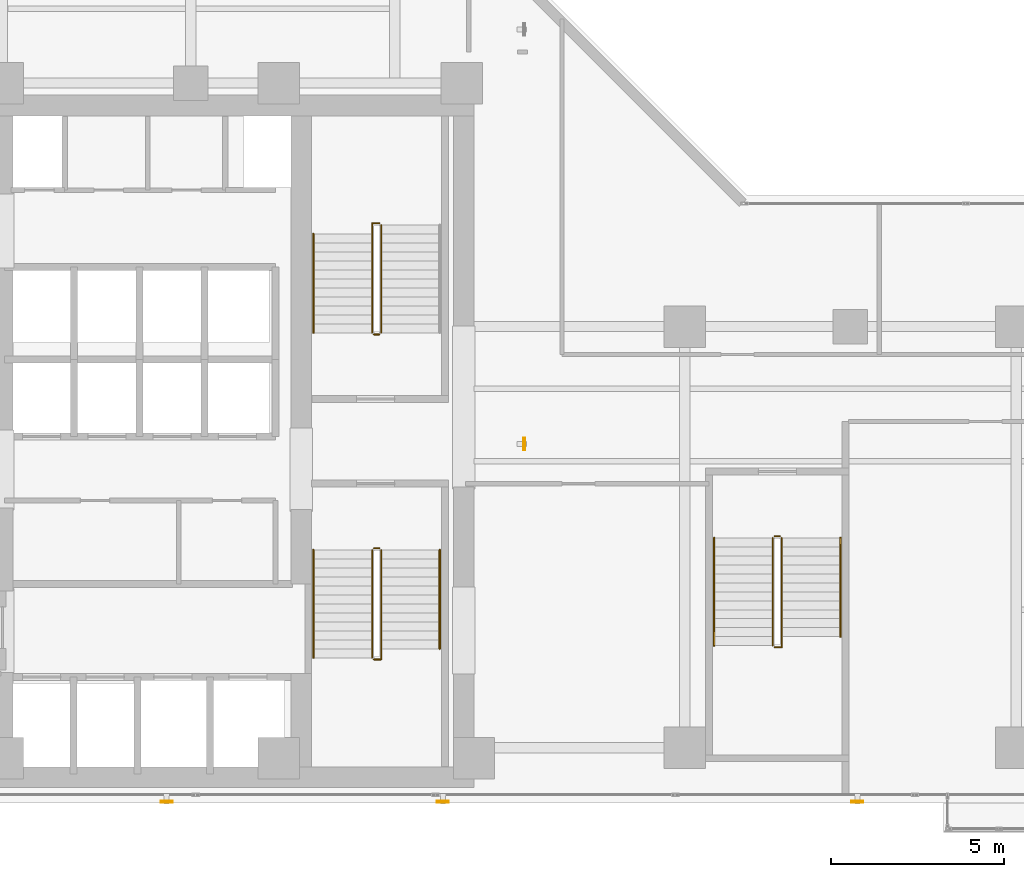
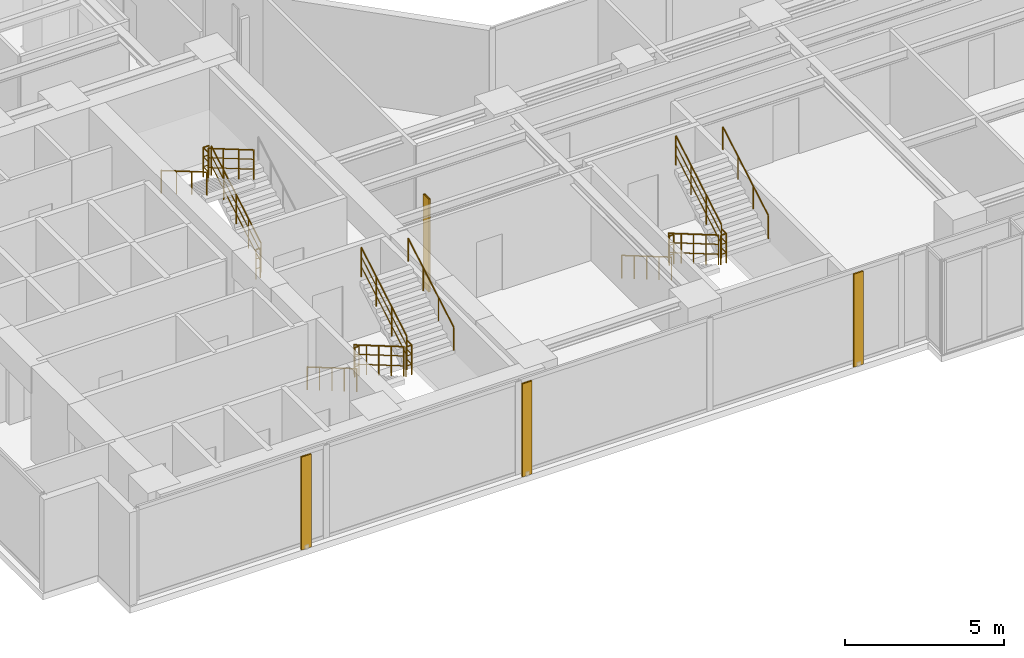
# One storey, part 24 of 27: 17 railings, 4 shading devices.
"""IFC4 building model written with IfcOpenShell, lengths in metres."""

from ifc_helpers import new_model, si_unit, direction, frame, origin, origin_2d, place, context, subcontext, project, spatial, hollow_rectangle, circle, extrude, material, material_profile, profile_set, type_object, element, save


model = new_model("IFC4")

# Units and contexts
model_context = context("Model", 3, precision=1e-05, world=origin(), true_north=direction((0.0, 1.0)))
body_context = subcontext(model_context, "Body", "Model", "MODEL_VIEW")
ifc_project = project(units=[si_unit("LENGTHUNIT", "METRE"), si_unit("AREAUNIT", "SQUARE_METRE"), si_unit("VOLUMEUNIT", "CUBIC_METRE"), si_unit("PLANEANGLEUNIT", "RADIAN"), si_unit("MASSUNIT", "GRAM", prefix="KILO")], contexts=[model_context])

# Site, building, storey
site_placement = place(None, origin())
site = spatial("IfcSite", under=ifc_project, at=site_placement, CompositionType="ELEMENT")
building_placement = place(site_placement, origin())
building = spatial("IfcBuilding", under=site, at=building_placement, Name="Kolvaren Waterfront Exchange", CompositionType="ELEMENT")
storey_placement = place(building_placement, frame((0.0, 0.0, 191.800048828125)))
storey = spatial("IfcBuildingStorey", under=building, at=storey_placement, Name="L49", CompositionType="ELEMENT", Elevation=191.800048828125)

# Shading devices
ifc_material_1 = material(Name="Anodised bronze aluminium 6063-T6", Category="aluminium")
ifc_material_profile = material_profile(ifc_material_1, hollow_rectangle(XDim=0.06005859375, YDim=0.35009765625, WallThickness=0.0048828125, at=origin_2d()), Name="BRZ-FIN-350x60x5")
ifc_profile_set = profile_set([ifc_material_profile], Name="Anodised bronze aluminium 6063-T6")
shading_device_type = type_object("IfcShadingDeviceType", Name="ARC-FIN-350", PredefinedType="USERDEFINED", material=ifc_profile_set)
for number, where, z_axis, x_axis, name in (
    (1, (12.199951171875, 3.639892578125, 0.0), (0.0, 0.0, 1.0), (0.0, -1.0, 0.0), "L49 anodised bronze solar shading fin FIN-L49-S1"),
    (2, (20.199951171875, 3.639892578125, 0.0), (0.0, 0.0, 1.0), (0.0, -1.0, 0.0), "L49 anodised bronze solar shading fin FIN-L49-S2"),
    (3, (32.199951171875, 3.639892578125, 0.0), (0.0, 0.0, 1.0), (0.0, -1.0, 0.0), "L49 anodised bronze solar shading fin FIN-L49-S3"),
    (4, (22.56005859375, 14.0, 0.0), (0.0, 0.0, 1.0), (1.0, 0.0, 0.0), "L49 anodised bronze solar shading fin FIN-L49-E1"),
):
    element("IfcShadingDevice", number, at=place(storey_placement, frame(where, z_axis=z_axis, x_axis=x_axis)), inside=storey, type_object=shading_device_type, Name=name, ObjectType="SOLAR FIN", PredefinedType="USERDEFINED", context=body_context, shape_type="SweptSolid", body=[
        extrude(hollow_rectangle(XDim=0.06005859375, YDim=0.35009765625, WallThickness=0.0048828125, at=origin_2d()), origin(), (0.0, 0.0, 1.0), 3.56005859375),
    ])

# Railings
ifc_material_2 = material(Name="Stainless steel 316", Category="steel")
railing_type_1 = type_object("IfcRailingType", Name="ARC-GUARD-STAIR", PredefinedType="GUARDRAIL", material=ifc_material_2)
railing_1_placement = place(storey_placement, frame((18.14990234375, 10.929931640625, 0.15185546875)))
element("IfcRailing", 5, at=railing_1_placement, inside=storey, type_object=railing_type_1, Name="L49 ST1 stair guard 1", PredefinedType="GUARDRAIL", context=body_context, shape_type="SweptSolid", body=[
    extrude(circle(Radius=0.02392578125, at=origin_2d()), frame((0.0, 0.0, 1.1259765625), z_axis=(0.0, -0.86329090724, 0.504706656858), x_axis=(1.0, 0.0, 0.0)), (0.0, 0.0, 1.0), 3.614013671875),
    extrude(circle(Radius=0.01611328125, at=origin_2d()), frame((0.0, 0.0, 0.390869140625), z_axis=(0.0, -0.86329090724, 0.504706656858), x_axis=(1.0, 0.0, 0.0)), (0.0, 0.0, 1.0), 3.614013671875),
    extrude(circle(Radius=0.01611328125, at=origin_2d()), frame((0.0, 0.0, 0.7705078125), z_axis=(0.0, -0.86329090724, 0.504706656858), x_axis=(1.0, 0.0, 0.0)), (0.0, 0.0, 1.0), 3.614013671875),
    extrude(circle(Radius=0.02099609375, at=origin_2d()), origin(), (0.0, 0.0, 1.0), 1.101806640625),
    extrude(circle(Radius=0.02099609375, at=origin_2d()), frame((0.0, -0.780029296875, 0.4560546875)), (0.0, 0.0, 1.0), 1.101806640625),
    extrude(circle(Radius=0.02099609375, at=origin_2d()), frame((0.0, -1.56005859375, 0.912109375)), (0.0, 0.0, 1.0), 1.101806640625),
    extrude(circle(Radius=0.02099609375, at=origin_2d()), frame((0.0, -2.33984375, 1.367919921875)), (0.0, 0.0, 1.0), 1.101806640625),
    extrude(circle(Radius=0.02099609375, at=origin_2d()), frame((0.0, -3.119873046875, 1.823974609375)), (0.0, 0.0, 1.0), 1.101806640625),
])
railing_2_placement = place(storey_placement, frame((18.199951171875, 7.760009765625, 1.975830078125)))
element("IfcRailing", 6, at=railing_2_placement, inside=storey, type_object=railing_type_1, Name="L49 ST1 stair guard 2", PredefinedType="GUARDRAIL", context=body_context, shape_type="SweptSolid", body=[
    extrude(circle(Radius=0.02392578125, at=origin_2d()), frame((0.0, 0.0, 1.1259765625), z_axis=(1.0, 0.0, 0.0), x_axis=(0.0, 1.0, 0.0)), (0.0, 0.0, 1.0), 0.2099609375),
    extrude(circle(Radius=0.01611328125, at=origin_2d()), frame((0.0, 0.0, 0.390869140625), z_axis=(1.0, 0.0, 0.0), x_axis=(0.0, 1.0, 0.0)), (0.0, 0.0, 1.0), 0.2099609375),
    extrude(circle(Radius=0.01611328125, at=origin_2d()), frame((0.0, 0.0, 0.7705078125), z_axis=(1.0, 0.0, 0.0), x_axis=(0.0, 1.0, 0.0)), (0.0, 0.0, 1.0), 0.2099609375),
    extrude(circle(Radius=0.02392578125, at=origin_2d()), frame((0.2099609375, 0.0, 1.1259765625), z_axis=(0.0, 1.0, 0.0), x_axis=(-1.0, 0.0, 0.0)), (0.0, 0.0, 1.0), 0.31005859375),
    extrude(circle(Radius=0.01611328125, at=origin_2d()), frame((0.2099609375, 0.0, 0.390869140625), z_axis=(0.0, 1.0, 0.0), x_axis=(-1.0, 0.0, 0.0)), (0.0, 0.0, 1.0), 0.31005859375),
    extrude(circle(Radius=0.01611328125, at=origin_2d()), frame((0.2099609375, 0.0, 0.7705078125), z_axis=(0.0, 1.0, 0.0), x_axis=(-1.0, 0.0, 0.0)), (0.0, 0.0, 1.0), 0.31005859375),
    extrude(circle(Radius=0.02099609375, at=origin_2d()), origin(), (0.0, 0.0, 1.0), 1.101806640625),
    extrude(circle(Radius=0.02099609375, at=origin_2d()), frame((0.2099609375, 0.0, 0.0)), (0.0, 0.0, 1.0), 1.101806640625),
    extrude(circle(Radius=0.02099609375, at=origin_2d()), frame((0.2099609375, 0.31005859375, 0.0)), (0.0, 0.0, 1.0), 1.101806640625),
])
railing_3_placement = place(storey_placement, frame((18.409912109375, 8.070068359375, 2.1279296875)))
element("IfcRailing", 7, at=railing_3_placement, inside=storey, type_object=railing_type_1, Name="L49 ST1 stair guard 3", PredefinedType="GUARDRAIL", context=body_context, shape_type="SweptSolid", body=[
    extrude(circle(Radius=0.02392578125, at=origin_2d()), frame((0.0, 0.0, 1.1259765625), z_axis=(0.0, 0.863270611444, 0.50474137082), x_axis=(-1.0, 0.0, 0.0)), (0.0, 0.0, 1.0), 3.312744140625),
    extrude(circle(Radius=0.01611328125, at=origin_2d()), frame((0.0, 0.0, 0.390869140625), z_axis=(0.0, 0.863270611444, 0.50474137082), x_axis=(-1.0, 0.0, 0.0)), (0.0, 0.0, 1.0), 3.312744140625),
    extrude(circle(Radius=0.01611328125, at=origin_2d()), frame((0.0, 0.0, 0.7705078125), z_axis=(0.0, 0.863270611444, 0.50474137082), x_axis=(-1.0, 0.0, 0.0)), (0.0, 0.0, 1.0), 3.312744140625),
    extrude(circle(Radius=0.02099609375, at=origin_2d()), origin(), (0.0, 0.0, 1.0), 1.101806640625),
    extrude(circle(Radius=0.02099609375, at=origin_2d()), frame((0.0, 0.953369140625, 0.557373046875)), (0.0, 0.0, 1.0), 1.101806640625),
    extrude(circle(Radius=0.02099609375, at=origin_2d()), frame((0.0, 1.906494140625, 1.11474609375)), (0.0, 0.0, 1.0), 1.101806640625),
    extrude(circle(Radius=0.02099609375, at=origin_2d()), frame((0.0, 2.85986328125, 1.672119140625)), (0.0, 0.0, 1.0), 1.101806640625),
])
railing_4_placement = place(storey_placement, frame((18.199951171875, 10.97998046875, 0.0)))
element("IfcRailing", 8, at=railing_4_placement, inside=storey, type_object=railing_type_1, Name="L49 ST1 stair guard 4", PredefinedType="GUARDRAIL", context=body_context, shape_type="SweptSolid", body=[
    extrude(circle(Radius=0.02392578125, at=origin_2d()), frame((0.0, 0.0, 1.1259765625), z_axis=(1.0, 0.0, 0.0), x_axis=(0.0, 1.0, 0.0)), (0.0, 0.0, 1.0), 0.16015625),
    extrude(circle(Radius=0.01611328125, at=origin_2d()), frame((0.0, 0.0, 0.390869140625), z_axis=(1.0, 0.0, 0.0), x_axis=(0.0, 1.0, 0.0)), (0.0, 0.0, 1.0), 0.16015625),
    extrude(circle(Radius=0.01611328125, at=origin_2d()), frame((0.0, 0.0, 0.7705078125), z_axis=(1.0, 0.0, 0.0), x_axis=(0.0, 1.0, 0.0)), (0.0, 0.0, 1.0), 0.16015625),
    extrude(circle(Radius=0.02099609375, at=origin_2d()), origin(), (0.0, 0.0, 1.0), 1.101806640625),
    extrude(circle(Radius=0.02099609375, at=origin_2d()), frame((0.16015625, 0.0, 0.0)), (0.0, 0.0, 1.0), 1.101806640625),
])
railing_5_placement = place(storey_placement, frame((18.409912109375, 17.219970703125, 0.15185546875)))
element("IfcRailing", 9, at=railing_5_placement, inside=storey, type_object=railing_type_1, Name="L49 ST2 stair guard 1", PredefinedType="GUARDRAIL", context=body_context, shape_type="SweptSolid", body=[
    extrude(circle(Radius=0.02392578125, at=origin_2d()), frame((0.0, 0.0, 1.1259765625), z_axis=(0.0, 0.86330811405, 0.504677223793), x_axis=(-1.0, 0.0, 0.0)), (0.0, 0.0, 1.0), 3.6142578125),
    extrude(circle(Radius=0.01611328125, at=origin_2d()), frame((0.0, 0.0, 0.390869140625), z_axis=(0.0, 0.86330811405, 0.504677223793), x_axis=(-1.0, 0.0, 0.0)), (0.0, 0.0, 1.0), 3.6142578125),
    extrude(circle(Radius=0.01611328125, at=origin_2d()), frame((0.0, 0.0, 0.7705078125), z_axis=(0.0, 0.86330811405, 0.504677223793), x_axis=(-1.0, 0.0, 0.0)), (0.0, 0.0, 1.0), 3.6142578125),
    extrude(circle(Radius=0.02099609375, at=origin_2d()), origin(), (0.0, 0.0, 1.0), 1.101806640625),
    extrude(circle(Radius=0.02099609375, at=origin_2d()), frame((0.0, 0.780029296875, 0.4560546875)), (0.0, 0.0, 1.0), 1.101806640625),
    extrude(circle(Radius=0.02099609375, at=origin_2d()), frame((0.0, 1.56005859375, 0.912109375)), (0.0, 0.0, 1.0), 1.101806640625),
    extrude(circle(Radius=0.02099609375, at=origin_2d()), frame((0.0, 2.340087890625, 1.367919921875)), (0.0, 0.0, 1.0), 1.101806640625),
    extrude(circle(Radius=0.02099609375, at=origin_2d()), frame((0.0, 3.1201171875, 1.823974609375)), (0.0, 0.0, 1.0), 1.101806640625),
])
railing_6_placement = place(storey_placement, frame((18.360107421875, 20.389892578125, 1.975830078125)))
element("IfcRailing", 10, at=railing_6_placement, inside=storey, type_object=railing_type_1, Name="L49 ST2 stair guard 2", PredefinedType="GUARDRAIL", context=body_context, shape_type="SweptSolid", body=[
    extrude(circle(Radius=0.02392578125, at=origin_2d()), frame((0.0, 0.0, 1.1259765625), z_axis=(-1.0, 0.0, 0.0), x_axis=(0.0, -1.0, 0.0)), (0.0, 0.0, 1.0), 0.210205078125),
    extrude(circle(Radius=0.01611328125, at=origin_2d()), frame((0.0, 0.0, 0.390869140625), z_axis=(-1.0, 0.0, 0.0), x_axis=(0.0, -1.0, 0.0)), (0.0, 0.0, 1.0), 0.210205078125),
    extrude(circle(Radius=0.01611328125, at=origin_2d()), frame((0.0, 0.0, 0.7705078125), z_axis=(-1.0, 0.0, 0.0), x_axis=(0.0, -1.0, 0.0)), (0.0, 0.0, 1.0), 0.210205078125),
    extrude(circle(Radius=0.02392578125, at=origin_2d()), frame((-0.210205078125, 0.0, 1.1259765625), z_axis=(0.0, -1.0, 0.0), x_axis=(1.0, 0.0, 0.0)), (0.0, 0.0, 1.0), 0.309814453125),
    extrude(circle(Radius=0.01611328125, at=origin_2d()), frame((-0.210205078125, 0.0, 0.390869140625), z_axis=(0.0, -1.0, 0.0), x_axis=(1.0, 0.0, 0.0)), (0.0, 0.0, 1.0), 0.309814453125),
    extrude(circle(Radius=0.01611328125, at=origin_2d()), frame((-0.210205078125, 0.0, 0.7705078125), z_axis=(0.0, -1.0, 0.0), x_axis=(1.0, 0.0, 0.0)), (0.0, 0.0, 1.0), 0.309814453125),
    extrude(circle(Radius=0.02099609375, at=origin_2d()), origin(), (0.0, 0.0, 1.0), 1.101806640625),
    extrude(circle(Radius=0.02099609375, at=origin_2d()), frame((-0.210205078125, 0.0, 0.0)), (0.0, 0.0, 1.0), 1.101806640625),
    extrude(circle(Radius=0.02099609375, at=origin_2d()), frame((-0.210205078125, -0.309814453125, 0.0)), (0.0, 0.0, 1.0), 1.101806640625),
])
railing_7_placement = place(storey_placement, frame((18.14990234375, 20.080078125, 2.1279296875)))
element("IfcRailing", 11, at=railing_7_placement, inside=storey, type_object=railing_type_1, Name="L49 ST2 stair guard 3", PredefinedType="GUARDRAIL", context=body_context, shape_type="SweptSolid", body=[
    extrude(circle(Radius=0.02392578125, at=origin_2d()), frame((0.0, 0.0, 1.1259765625), z_axis=(0.0, -0.863289384635, 0.504709261235), x_axis=(1.0, 0.0, 0.0)), (0.0, 0.0, 1.0), 3.31298828125),
    extrude(circle(Radius=0.01611328125, at=origin_2d()), frame((0.0, 0.0, 0.390869140625), z_axis=(0.0, -0.863289384635, 0.504709261235), x_axis=(1.0, 0.0, 0.0)), (0.0, 0.0, 1.0), 3.31298828125),
    extrude(circle(Radius=0.01611328125, at=origin_2d()), frame((0.0, 0.0, 0.7705078125), z_axis=(0.0, -0.863289384635, 0.504709261235), x_axis=(1.0, 0.0, 0.0)), (0.0, 0.0, 1.0), 3.31298828125),
    extrude(circle(Radius=0.02099609375, at=origin_2d()), origin(), (0.0, 0.0, 1.0), 1.101806640625),
    extrude(circle(Radius=0.02099609375, at=origin_2d()), frame((0.0, -0.953369140625, 0.557373046875)), (0.0, 0.0, 1.0), 1.101806640625),
    extrude(circle(Radius=0.02099609375, at=origin_2d()), frame((0.0, -1.90673828125, 1.11474609375)), (0.0, 0.0, 1.0), 1.101806640625),
    extrude(circle(Radius=0.02099609375, at=origin_2d()), frame((0.0, -2.860107421875, 1.672119140625)), (0.0, 0.0, 1.0), 1.101806640625),
])
railing_8_placement = place(storey_placement, frame((18.360107421875, 17.169921875, 0.0)))
element("IfcRailing", 12, at=railing_8_placement, inside=storey, type_object=railing_type_1, Name="L49 ST2 stair guard 4", PredefinedType="GUARDRAIL", context=body_context, shape_type="SweptSolid", body=[
    extrude(circle(Radius=0.02392578125, at=origin_2d()), frame((0.0, 0.0, 1.1259765625), z_axis=(-1.0, 0.0, 0.0), x_axis=(0.0, -1.0, 0.0)), (0.0, 0.0, 1.0), 0.16015625),
    extrude(circle(Radius=0.01611328125, at=origin_2d()), frame((0.0, 0.0, 0.390869140625), z_axis=(-1.0, 0.0, 0.0), x_axis=(0.0, -1.0, 0.0)), (0.0, 0.0, 1.0), 0.16015625),
    extrude(circle(Radius=0.01611328125, at=origin_2d()), frame((0.0, 0.0, 0.7705078125), z_axis=(-1.0, 0.0, 0.0), x_axis=(0.0, -1.0, 0.0)), (0.0, 0.0, 1.0), 0.16015625),
    extrude(circle(Radius=0.02099609375, at=origin_2d()), origin(), (0.0, 0.0, 1.0), 1.101806640625),
    extrude(circle(Radius=0.02099609375, at=origin_2d()), frame((-0.16015625, 0.0, 0.0)), (0.0, 0.0, 1.0), 1.101806640625),
])
railing_9_placement = place(storey_placement, frame((29.75, 11.280029296875, 0.15185546875)))
element("IfcRailing", 13, at=railing_9_placement, inside=storey, type_object=railing_type_1, Name="L49 ST3 stair guard 1", PredefinedType="GUARDRAIL", context=body_context, shape_type="SweptSolid", body=[
    extrude(circle(Radius=0.02392578125, at=origin_2d()), frame((0.0, 0.0, 1.1259765625), z_axis=(0.0, -0.86330811405, 0.504677223793), x_axis=(1.0, 0.0, 0.0)), (0.0, 0.0, 1.0), 3.6142578125),
    extrude(circle(Radius=0.01611328125, at=origin_2d()), frame((0.0, 0.0, 0.390869140625), z_axis=(0.0, -0.86330811405, 0.504677223793), x_axis=(1.0, 0.0, 0.0)), (0.0, 0.0, 1.0), 3.6142578125),
    extrude(circle(Radius=0.01611328125, at=origin_2d()), frame((0.0, 0.0, 0.7705078125), z_axis=(0.0, -0.86330811405, 0.504677223793), x_axis=(1.0, 0.0, 0.0)), (0.0, 0.0, 1.0), 3.6142578125),
    extrude(circle(Radius=0.02099609375, at=origin_2d()), origin(), (0.0, 0.0, 1.0), 1.101806640625),
    extrude(circle(Radius=0.02099609375, at=origin_2d()), frame((0.0, -0.780029296875, 0.4560546875)), (0.0, 0.0, 1.0), 1.101806640625),
    extrude(circle(Radius=0.02099609375, at=origin_2d()), frame((0.0, -1.56005859375, 0.912109375)), (0.0, 0.0, 1.0), 1.101806640625),
    extrude(circle(Radius=0.02099609375, at=origin_2d()), frame((0.0, -2.340087890625, 1.367919921875)), (0.0, 0.0, 1.0), 1.101806640625),
    extrude(circle(Radius=0.02099609375, at=origin_2d()), frame((0.0, -3.1201171875, 1.823974609375)), (0.0, 0.0, 1.0), 1.101806640625),
])
railing_10_placement = place(storey_placement, frame((29.800048828125, 8.110107421875, 1.975830078125)))
element("IfcRailing", 14, at=railing_10_placement, inside=storey, type_object=railing_type_1, Name="L49 ST3 stair guard 2", PredefinedType="GUARDRAIL", context=body_context, shape_type="SweptSolid", body=[
    extrude(circle(Radius=0.02392578125, at=origin_2d()), frame((0.0, 0.0, 1.1259765625), z_axis=(1.0, 0.0, 0.0), x_axis=(0.0, 1.0, 0.0)), (0.0, 0.0, 1.0), 0.2099609375),
    extrude(circle(Radius=0.01611328125, at=origin_2d()), frame((0.0, 0.0, 0.390869140625), z_axis=(1.0, 0.0, 0.0), x_axis=(0.0, 1.0, 0.0)), (0.0, 0.0, 1.0), 0.2099609375),
    extrude(circle(Radius=0.01611328125, at=origin_2d()), frame((0.0, 0.0, 0.7705078125), z_axis=(1.0, 0.0, 0.0), x_axis=(0.0, 1.0, 0.0)), (0.0, 0.0, 1.0), 0.2099609375),
    extrude(circle(Radius=0.02392578125, at=origin_2d()), frame((0.2099609375, 0.0, 1.1259765625), z_axis=(0.0, 1.0, 0.0), x_axis=(-1.0, 0.0, 0.0)), (0.0, 0.0, 1.0), 0.309814453125),
    extrude(circle(Radius=0.01611328125, at=origin_2d()), frame((0.2099609375, 0.0, 0.390869140625), z_axis=(0.0, 1.0, 0.0), x_axis=(-1.0, 0.0, 0.0)), (0.0, 0.0, 1.0), 0.309814453125),
    extrude(circle(Radius=0.01611328125, at=origin_2d()), frame((0.2099609375, 0.0, 0.7705078125), z_axis=(0.0, 1.0, 0.0), x_axis=(-1.0, 0.0, 0.0)), (0.0, 0.0, 1.0), 0.309814453125),
    extrude(circle(Radius=0.02099609375, at=origin_2d()), origin(), (0.0, 0.0, 1.0), 1.101806640625),
    extrude(circle(Radius=0.02099609375, at=origin_2d()), frame((0.2099609375, 0.0, 0.0)), (0.0, 0.0, 1.0), 1.101806640625),
    extrude(circle(Radius=0.02099609375, at=origin_2d()), frame((0.2099609375, 0.309814453125, 0.0)), (0.0, 0.0, 1.0), 1.101806640625),
])
railing_11_placement = place(storey_placement, frame((30.010009765625, 8.419921875, 2.1279296875)))
element("IfcRailing", 15, at=railing_11_placement, inside=storey, type_object=railing_type_1, Name="L49 ST3 stair guard 3", PredefinedType="GUARDRAIL", context=body_context, shape_type="SweptSolid", body=[
    extrude(circle(Radius=0.02392578125, at=origin_2d()), frame((0.0, 0.0, 1.1259765625), z_axis=(0.0, 0.863289384635, 0.504709261235), x_axis=(-1.0, 0.0, 0.0)), (0.0, 0.0, 1.0), 3.31298828125),
    extrude(circle(Radius=0.01611328125, at=origin_2d()), frame((0.0, 0.0, 0.390869140625), z_axis=(0.0, 0.863289384635, 0.504709261235), x_axis=(-1.0, 0.0, 0.0)), (0.0, 0.0, 1.0), 3.31298828125),
    extrude(circle(Radius=0.01611328125, at=origin_2d()), frame((0.0, 0.0, 0.7705078125), z_axis=(0.0, 0.863289384635, 0.504709261235), x_axis=(-1.0, 0.0, 0.0)), (0.0, 0.0, 1.0), 3.31298828125),
    extrude(circle(Radius=0.02099609375, at=origin_2d()), origin(), (0.0, 0.0, 1.0), 1.101806640625),
    extrude(circle(Radius=0.02099609375, at=origin_2d()), frame((0.0, 0.953369140625, 0.557373046875)), (0.0, 0.0, 1.0), 1.101806640625),
    extrude(circle(Radius=0.02099609375, at=origin_2d()), frame((0.0, 1.90673828125, 1.11474609375)), (0.0, 0.0, 1.0), 1.101806640625),
    extrude(circle(Radius=0.02099609375, at=origin_2d()), frame((0.0, 2.860107421875, 1.672119140625)), (0.0, 0.0, 1.0), 1.101806640625),
])
railing_12_placement = place(storey_placement, frame((29.800048828125, 11.330078125, 0.0)))
element("IfcRailing", 16, at=railing_12_placement, inside=storey, type_object=railing_type_1, Name="L49 ST3 stair guard 4", PredefinedType="GUARDRAIL", context=body_context, shape_type="SweptSolid", body=[
    extrude(circle(Radius=0.02392578125, at=origin_2d()), frame((0.0, 0.0, 1.1259765625), z_axis=(1.0, 0.0, 0.0), x_axis=(0.0, 1.0, 0.0)), (0.0, 0.0, 1.0), 0.159912109375),
    extrude(circle(Radius=0.01611328125, at=origin_2d()), frame((0.0, 0.0, 0.390869140625), z_axis=(1.0, 0.0, 0.0), x_axis=(0.0, 1.0, 0.0)), (0.0, 0.0, 1.0), 0.159912109375),
    extrude(circle(Radius=0.01611328125, at=origin_2d()), frame((0.0, 0.0, 0.7705078125), z_axis=(1.0, 0.0, 0.0), x_axis=(0.0, 1.0, 0.0)), (0.0, 0.0, 1.0), 0.159912109375),
    extrude(circle(Radius=0.02099609375, at=origin_2d()), origin(), (0.0, 0.0, 1.0), 1.101806640625),
    extrude(circle(Radius=0.02099609375, at=origin_2d()), frame((0.159912109375, 0.0, 0.0)), (0.0, 0.0, 1.0), 1.101806640625),
])
railing_type_2 = type_object("IfcRailingType", Name="ARC-HANDRAIL-900", PredefinedType="HANDRAIL", material=ifc_material_2)
railing_13_placement = place(storey_placement, frame((16.449951171875, 10.929931640625, 0.15185546875)))
element("IfcRailing", 17, at=railing_13_placement, inside=storey, type_object=railing_type_2, Name="L49 ST1 stair handrail 1", PredefinedType="HANDRAIL", context=body_context, shape_type="SweptSolid", body=[
    extrude(circle(Radius=0.02392578125, at=origin_2d()), frame((0.0, 0.0, 0.8759765625), z_axis=(0.0, -0.86329090724, 0.504706656858), x_axis=(1.0, 0.0, 0.0)), (0.0, 0.0, 1.0), 3.614013671875),
    extrude(circle(Radius=0.02099609375, at=origin_2d()), origin(), (0.0, 0.0, 1.0), 0.851806640625),
    extrude(circle(Radius=0.02099609375, at=origin_2d()), frame((0.0, -0.780029296875, 0.4560546875)), (0.0, 0.0, 1.0), 0.851806640625),
    extrude(circle(Radius=0.02099609375, at=origin_2d()), frame((0.0, -1.56005859375, 0.912109375)), (0.0, 0.0, 1.0), 0.851806640625),
    extrude(circle(Radius=0.02099609375, at=origin_2d()), frame((0.0, -2.33984375, 1.367919921875)), (0.0, 0.0, 1.0), 0.851806640625),
    extrude(circle(Radius=0.02099609375, at=origin_2d()), frame((0.0, -3.119873046875, 1.823974609375)), (0.0, 0.0, 1.0), 0.851806640625),
])
railing_14_placement = place(storey_placement, frame((20.110107421875, 8.070068359375, 2.1279296875)))
element("IfcRailing", 18, at=railing_14_placement, inside=storey, type_object=railing_type_2, Name="L49 ST1 stair handrail 2", PredefinedType="HANDRAIL", context=body_context, shape_type="SweptSolid", body=[
    extrude(circle(Radius=0.02392578125, at=origin_2d()), frame((0.0, 0.0, 0.8759765625), z_axis=(0.0, 0.863270611444, 0.50474137082), x_axis=(-1.0, 0.0, 0.0)), (0.0, 0.0, 1.0), 3.312744140625),
    extrude(circle(Radius=0.02099609375, at=origin_2d()), origin(), (0.0, 0.0, 1.0), 0.851806640625),
    extrude(circle(Radius=0.02099609375, at=origin_2d()), frame((0.0, 0.953369140625, 0.557373046875)), (0.0, 0.0, 1.0), 0.851806640625),
    extrude(circle(Radius=0.02099609375, at=origin_2d()), frame((0.0, 1.906494140625, 1.11474609375)), (0.0, 0.0, 1.0), 0.851806640625),
    extrude(circle(Radius=0.02099609375, at=origin_2d()), frame((0.0, 2.85986328125, 1.672119140625)), (0.0, 0.0, 1.0), 0.851806640625),
])
railing_15_placement = place(storey_placement, frame((16.449951171875, 20.080078125, 2.1279296875)))
element("IfcRailing", 19, at=railing_15_placement, inside=storey, type_object=railing_type_2, Name="L49 ST2 stair handrail 2", PredefinedType="HANDRAIL", context=body_context, shape_type="SweptSolid", body=[
    extrude(circle(Radius=0.02392578125, at=origin_2d()), frame((0.0, 0.0, 0.8759765625), z_axis=(0.0, -0.863289384635, 0.504709261235), x_axis=(1.0, 0.0, 0.0)), (0.0, 0.0, 1.0), 3.31298828125),
    extrude(circle(Radius=0.02099609375, at=origin_2d()), origin(), (0.0, 0.0, 1.0), 0.851806640625),
    extrude(circle(Radius=0.02099609375, at=origin_2d()), frame((0.0, -0.953369140625, 0.557373046875)), (0.0, 0.0, 1.0), 0.851806640625),
    extrude(circle(Radius=0.02099609375, at=origin_2d()), frame((0.0, -1.90673828125, 1.11474609375)), (0.0, 0.0, 1.0), 0.851806640625),
    extrude(circle(Radius=0.02099609375, at=origin_2d()), frame((0.0, -2.860107421875, 1.672119140625)), (0.0, 0.0, 1.0), 0.851806640625),
])
railing_16_placement = place(storey_placement, frame((28.050048828125, 11.280029296875, 0.15185546875)))
element("IfcRailing", 20, at=railing_16_placement, inside=storey, type_object=railing_type_2, Name="L49 ST3 stair handrail 1", PredefinedType="HANDRAIL", context=body_context, shape_type="SweptSolid", body=[
    extrude(circle(Radius=0.02392578125, at=origin_2d()), frame((0.0, 0.0, 0.8759765625), z_axis=(0.0, -0.86330811405, 0.504677223793), x_axis=(1.0, 0.0, 0.0)), (0.0, 0.0, 1.0), 3.6142578125),
    extrude(circle(Radius=0.02099609375, at=origin_2d()), origin(), (0.0, 0.0, 1.0), 0.851806640625),
    extrude(circle(Radius=0.02099609375, at=origin_2d()), frame((0.0, -0.780029296875, 0.4560546875)), (0.0, 0.0, 1.0), 0.851806640625),
    extrude(circle(Radius=0.02099609375, at=origin_2d()), frame((0.0, -1.56005859375, 0.912109375)), (0.0, 0.0, 1.0), 0.851806640625),
    extrude(circle(Radius=0.02099609375, at=origin_2d()), frame((0.0, -2.340087890625, 1.367919921875)), (0.0, 0.0, 1.0), 0.851806640625),
    extrude(circle(Radius=0.02099609375, at=origin_2d()), frame((0.0, -3.1201171875, 1.823974609375)), (0.0, 0.0, 1.0), 0.851806640625),
])
railing_17_placement = place(storey_placement, frame((31.7099609375, 8.419921875, 2.1279296875)))
element("IfcRailing", 21, at=railing_17_placement, inside=storey, type_object=railing_type_2, Name="L49 ST3 stair handrail 2", PredefinedType="HANDRAIL", context=body_context, shape_type="SweptSolid", body=[
    extrude(circle(Radius=0.02392578125, at=origin_2d()), frame((0.0, 0.0, 0.8759765625), z_axis=(0.0, 0.863289384635, 0.504709261235), x_axis=(-1.0, 0.0, 0.0)), (0.0, 0.0, 1.0), 3.31298828125),
    extrude(circle(Radius=0.02099609375, at=origin_2d()), origin(), (0.0, 0.0, 1.0), 0.851806640625),
    extrude(circle(Radius=0.02099609375, at=origin_2d()), frame((0.0, 0.953369140625, 0.557373046875)), (0.0, 0.0, 1.0), 0.851806640625),
    extrude(circle(Radius=0.02099609375, at=origin_2d()), frame((0.0, 1.90673828125, 1.11474609375)), (0.0, 0.0, 1.0), 0.851806640625),
    extrude(circle(Radius=0.02099609375, at=origin_2d()), frame((0.0, 2.860107421875, 1.672119140625)), (0.0, 0.0, 1.0), 0.851806640625),
])

save(model, "model.ifc")
